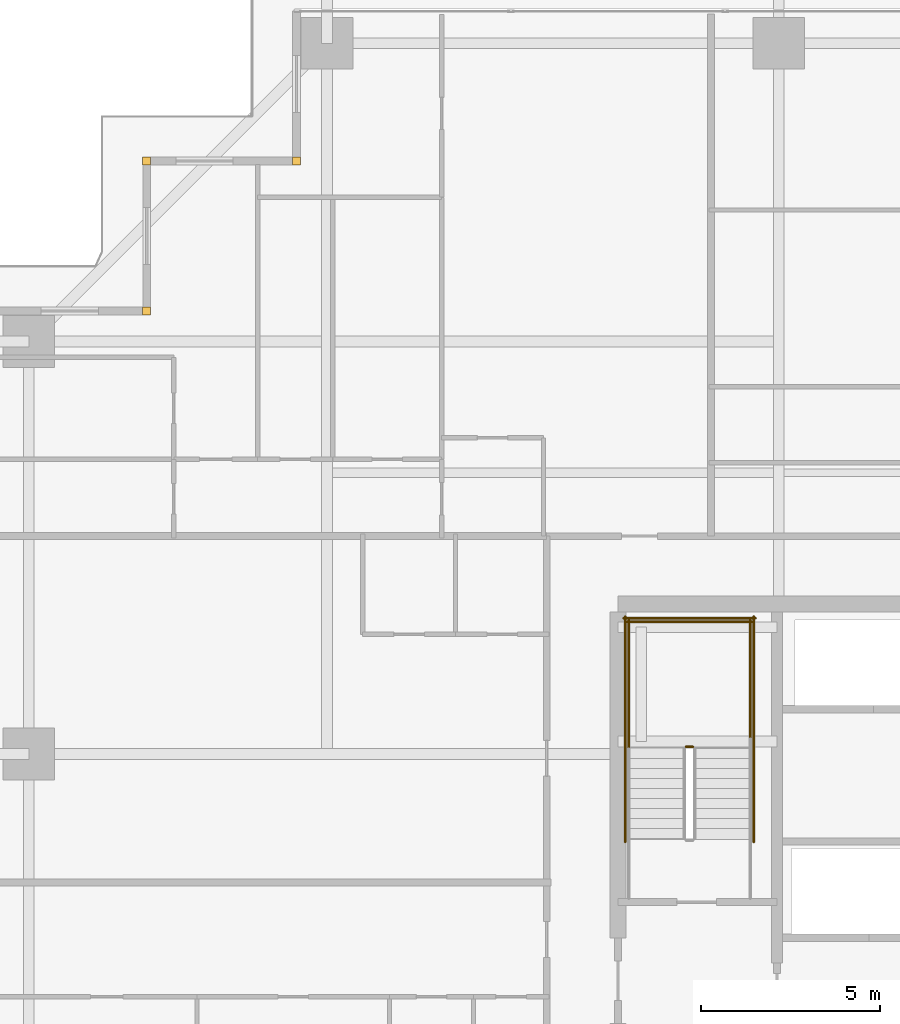
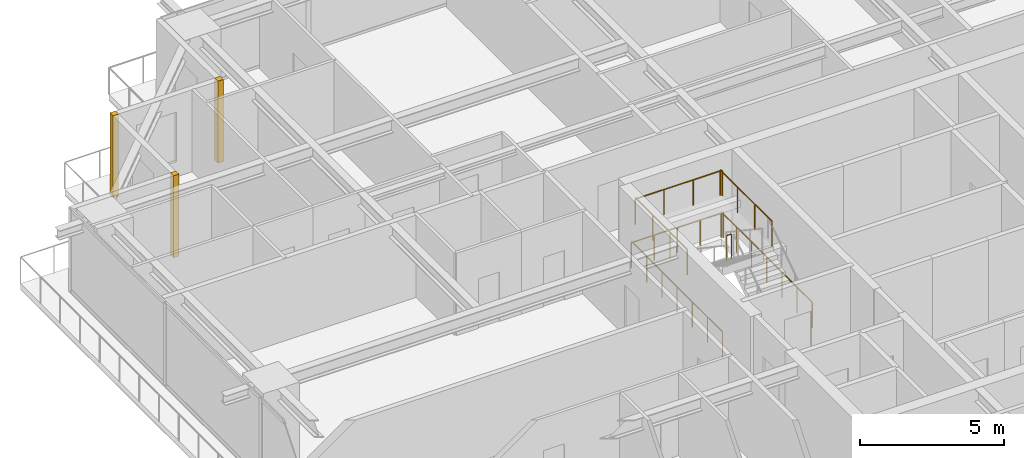
# One storey, part 38 of 39: 7 railings, 3 coverings.
"""IFC4 building model written with IfcOpenShell, lengths in metres."""

from ifc_helpers import new_model, si_unit, direction, frame, origin, origin_2d, place, context, subcontext, project, spatial, rectangle, circle, extrude, source, transform, mapped, material, layer, layer_set, type_object, element, save


model = new_model("IFC4")

# Units and contexts
model_context = context("Model", 3, precision=1e-05, world=origin(), true_north=direction((0.0, 1.0)))
body_context = subcontext(model_context, "Body", "Model", "MODEL_VIEW")
ifc_project = project(units=[si_unit("LENGTHUNIT", "METRE"), si_unit("AREAUNIT", "SQUARE_METRE"), si_unit("VOLUMEUNIT", "CUBIC_METRE"), si_unit("PLANEANGLEUNIT", "RADIAN"), si_unit("MASSUNIT", "GRAM", prefix="KILO")], contexts=[model_context])

# Site, building, storey
site_placement = place(None, origin())
site = spatial("IfcSite", under=ifc_project, at=site_placement, CompositionType="ELEMENT")
building_placement = place(site_placement, origin())
building = spatial("IfcBuilding", under=site, at=building_placement, Name="Serunith Strait Residences", CompositionType="ELEMENT")
storey_placement = place(building_placement, frame((0.0, 0.0, 49.199951171875)))
storey = spatial("IfcBuildingStorey", under=building, at=storey_placement, Name="L11", CompositionType="ELEMENT", Elevation=49.199951171875)

# Railings
ifc_material_1 = material(Name="Brushed stainless steel 316L", Category="steel")
railing_type = type_object("IfcRailingType", Name="RLG-STAIR-GUARD", PredefinedType="BALUSTRADE", material=ifc_material_1)
railing_1_placement = place(storey_placement, frame((25.5, 29.60009765625, 1.875)))
element("IfcRailing", 1, at=railing_1_placement, inside=storey, type_object=railing_type, Name="L11 ST-1 stair guard 2", PredefinedType="BALUSTRADE", context=body_context, shape_type="SweptSolid", body=[
    extrude(circle(Radius=0.02392578125, at=origin_2d()), frame((-0.001953125, 0.0, 1.076171875), z_axis=(-1.0, 0.0, 0.0), x_axis=(0.0, -1.0, 0.0)), (0.0, 0.0, 1.0), 0.196044921875),
    extrude(circle(Radius=0.02099609375, at=origin_2d()), origin(), (0.0, 0.0, 1.0), 1.050048828125),
    extrude(circle(Radius=0.02099609375, at=origin_2d()), frame((-0.199951171875, 0.0, 0.0)), (0.0, 0.0, 1.0), 1.050048828125),
])
for number, where, name in (
    (2, (27.10009765625, 29.550048828125, 1.875), "L11 ST-1 stair guard 3"),
    (3, (23.699951171875, 29.550048828125, 1.875), "L11 ST-1 stair guard 4"),
):
    element("IfcRailing", number, at=place(storey_placement, frame(where)), inside=storey, type_object=railing_type, Name=name, PredefinedType="BALUSTRADE", context=body_context, shape_type="SweptSolid", body=[
        extrude(circle(Radius=0.02392578125, at=origin_2d()), frame((0.0, 0.001953125, 1.076171875), z_axis=(0.0, 1.0, 0.0), x_axis=(-1.0, 0.0, 0.0)), (0.0, 0.0, 1.0), 3.595947265625),
        extrude(circle(Radius=0.02099609375, at=origin_2d()), origin(), (0.0, 0.0, 1.0), 1.050048828125),
        extrude(circle(Radius=0.02099609375, at=origin_2d()), frame((0.0, 1.199951171875, 0.0)), (0.0, 0.0, 1.0), 1.050048828125),
        extrude(circle(Radius=0.02099609375, at=origin_2d()), frame((0.0, 2.39990234375, 0.0)), (0.0, 0.0, 1.0), 1.050048828125),
        extrude(circle(Radius=0.02099609375, at=origin_2d()), frame((0.0, 3.599853515625, 0.0)), (0.0, 0.0, 1.0), 1.050048828125),
    ])
railing_2_placement = place(storey_placement, frame((27.14990234375, 33.10009765625, 1.875)))
element("IfcRailing", 4, at=railing_2_placement, inside=storey, type_object=railing_type, Name="L11 ST-1 stair guard 5", PredefinedType="BALUSTRADE", context=body_context, shape_type="SweptSolid", body=[
    extrude(circle(Radius=0.02392578125, at=origin_2d()), frame((-0.001953125, 0.0, 1.076171875), z_axis=(-1.0, 0.0, 0.0), x_axis=(0.0, -1.0, 0.0)), (0.0, 0.0, 1.0), 3.49609375),
    extrude(circle(Radius=0.02099609375, at=origin_2d()), origin(), (0.0, 0.0, 1.0), 1.050048828125),
    extrude(circle(Radius=0.02099609375, at=origin_2d()), frame((-1.166748046875, 0.0, 0.0)), (0.0, 0.0, 1.0), 1.050048828125),
    extrude(circle(Radius=0.02099609375, at=origin_2d()), frame((-2.333251953125, 0.0, 0.0)), (0.0, 0.0, 1.0), 1.050048828125),
    extrude(circle(Radius=0.02099609375, at=origin_2d()), frame((-3.5, 0.0, 0.0)), (0.0, 0.0, 1.0), 1.050048828125),
])
for number, where, name in (
    (5, (27.199951171875, 26.929931640625, 0.0), "L11 ST-1 stair guard 10"),
    (6, (23.60009765625, 26.929931640625, 0.0), "L11 ST-1 stair guard 11"),
):
    element("IfcRailing", number, at=place(storey_placement, frame(where)), inside=storey, type_object=railing_type, Name=name, PredefinedType="BALUSTRADE", context=body_context, shape_type="SweptSolid", body=[
        extrude(circle(Radius=0.02392578125, at=origin_2d()), frame((0.0, 0.001953125, 1.076171875), z_axis=(0.0, 1.0, 0.0), x_axis=(-1.0, 0.0, 0.0)), (0.0, 0.0, 1.0), 6.316162109375),
        extrude(circle(Radius=0.02099609375, at=origin_2d()), origin(), (0.0, 0.0, 1.0), 1.050048828125),
        extrude(circle(Radius=0.02099609375, at=origin_2d()), frame((0.0, 1.05322265625, 0.0)), (0.0, 0.0, 1.0), 1.050048828125),
        extrude(circle(Radius=0.02099609375, at=origin_2d()), frame((0.0, 2.106689453125, 0.0)), (0.0, 0.0, 1.0), 1.050048828125),
        extrude(circle(Radius=0.02099609375, at=origin_2d()), frame((0.0, 3.16015625, 0.0)), (0.0, 0.0, 1.0), 1.050048828125),
        extrude(circle(Radius=0.02099609375, at=origin_2d()), frame((0.0, 4.21337890625, 0.0)), (0.0, 0.0, 1.0), 1.050048828125),
        extrude(circle(Radius=0.02099609375, at=origin_2d()), frame((0.0, 5.2666015625, 0.0)), (0.0, 0.0, 1.0), 1.050048828125),
        extrude(circle(Radius=0.02099609375, at=origin_2d()), frame((0.0, 6.320068359375, 0.0)), (0.0, 0.0, 1.0), 1.050048828125),
    ])
railing_3_placement = place(storey_placement, frame((27.25, 33.199951171875, 0.0)))
element("IfcRailing", 7, at=railing_3_placement, inside=storey, type_object=railing_type, Name="L11 ST-1 stair guard 12", PredefinedType="BALUSTRADE", context=body_context, shape_type="SweptSolid", body=[
    extrude(circle(Radius=0.02392578125, at=origin_2d()), frame((-0.001953125, 0.0, 1.076171875), z_axis=(-1.0, 0.0, 0.0), x_axis=(0.0, -1.0, 0.0)), (0.0, 0.0, 1.0), 3.696044921875),
    extrude(circle(Radius=0.02099609375, at=origin_2d()), origin(), (0.0, 0.0, 1.0), 1.050048828125),
    extrude(circle(Radius=0.02099609375, at=origin_2d()), frame((-0.925048828125, 0.0, 0.0)), (0.0, 0.0, 1.0), 1.050048828125),
    extrude(circle(Radius=0.02099609375, at=origin_2d()), frame((-1.85009765625, 0.0, 0.0)), (0.0, 0.0, 1.0), 1.050048828125),
    extrude(circle(Radius=0.02099609375, at=origin_2d()), frame((-2.77490234375, 0.0, 0.0)), (0.0, 0.0, 1.0), 1.050048828125),
    extrude(circle(Radius=0.02099609375, at=origin_2d()), frame((-3.699951171875, 0.0, 0.0)), (0.0, 0.0, 1.0), 1.050048828125),
])

# Coverings
ifc_material_2 = material(Name="Pale-Champagne Anodised Aluminium", Category="aluminium")
ifc_layer = layer(ifc_material_2, 0.219970703125, Name="Pale-Champagne Anodised Aluminium")
ifc_layer_set = layer_set([ifc_layer], Name="Pale-Champagne Anodised Aluminium")
covering_type = type_object("IfcCoveringType", Name="COV-CORN-TRIM", PredefinedType="CLADDING", material=ifc_layer_set)
shared_shape = source(origin(), body_context, "Body", "SweptSolid", [
    extrude(rectangle(XDim=0.221923828125, YDim=0.221923828125, at=origin_2d()), origin(), (0.0, 0.0, 1.0), 3.47509765625),
])
for number, where, z_axis, x_axis, name in (
    (8, (14.39990234375, 46.0, 0.0), (0.0, 0.0, 1.0), (1.0, 0.0, 0.0), "L11 Girih Serrated Corner Trim Post 12"),
    (9, (10.199951171875, 46.0, 0.0), (0.0, 0.0, 1.0), (1.0, 0.0, 0.0), "L11 Girih Serrated Corner Trim Post 13"),
    (10, (10.199951171875, 41.800048828125, 0.0), (0.0, 0.0, 1.0), (1.0, 0.0, 0.0), "L11 Girih Serrated Corner Trim Post 14"),
):
    element("IfcCovering", number, at=place(storey_placement, frame(where, z_axis=z_axis, x_axis=x_axis)), inside=storey, type_object=covering_type, Name=name, PredefinedType="CLADDING", context=body_context, shape_type="MappedRepresentation", body=[
        mapped(shared_shape, transform((0.0, 0.0, 0.0), scale=1.0)),
    ])

save(model, "model.ifc")
